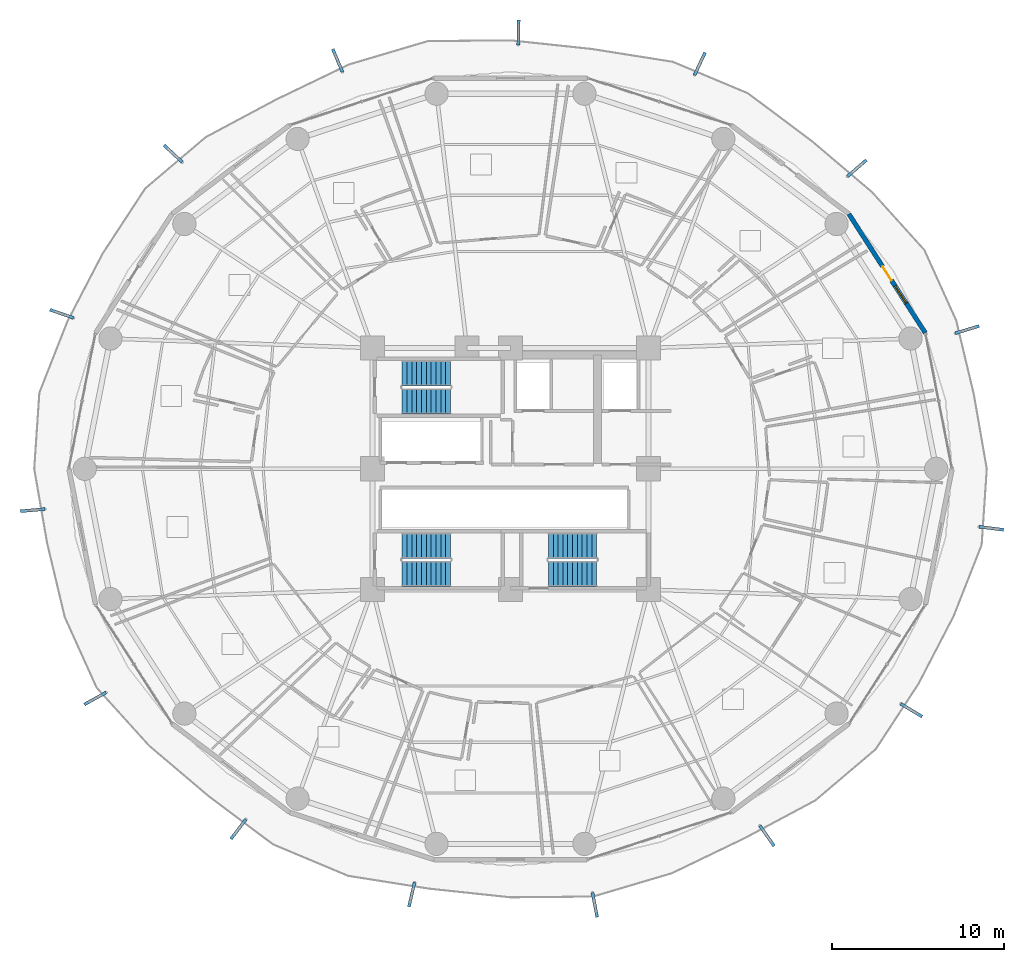
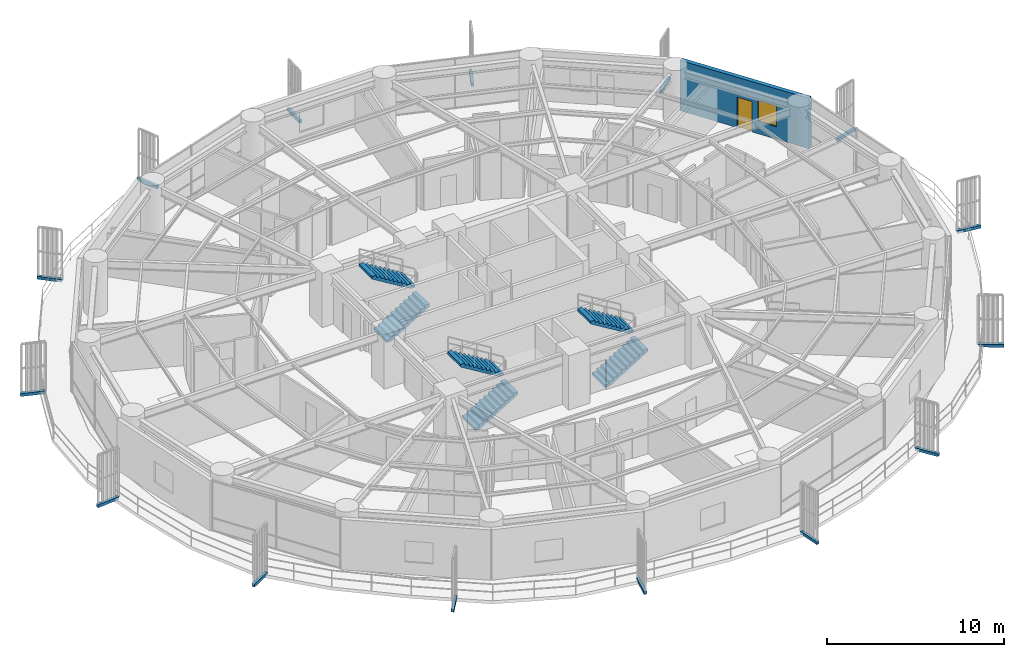
# One storey, part 29 of 33: 15 discrete accessories, 6 stair flights, 1 door, 1 wall, 1 window, 2 openings, 3 elements without a shape of their own.
"""IFC4 building model written with IfcOpenShell, lengths in metres."""

from ifc_helpers import new_model, si_unit, direction, frame, frame_2d, origin, origin_2d, place, context, subcontext, project, spatial, polyline, rectangle, outline, extrude, source, transform, mapped, material, layer, layer_set, type_object, element, fill, aggregate, save


model = new_model("IFC4")

# Units and contexts
model_context = context("Model", 3, precision=1e-05, world=origin(), true_north=direction((0.0, 1.0)))
body_context = subcontext(model_context, "Body", "Model", "MODEL_VIEW")
ifc_project = project(units=[si_unit("LENGTHUNIT", "METRE"), si_unit("AREAUNIT", "SQUARE_METRE"), si_unit("VOLUMEUNIT", "CUBIC_METRE"), si_unit("PLANEANGLEUNIT", "RADIAN"), si_unit("MASSUNIT", "GRAM", prefix="KILO")], contexts=[model_context])

# Site, building, storey
site_placement = place(None, origin())
site = spatial("IfcSite", under=ifc_project, at=site_placement, CompositionType="ELEMENT")
building_placement = place(site_placement, origin())
building = spatial("IfcBuilding", under=site, at=building_placement, Name="Kelanora Arch Commons", CompositionType="ELEMENT")
storey_placement = place(building_placement, frame((0.0, 0.0, 80.10009765625)))
storey = spatial("IfcBuildingStorey", under=building, at=storey_placement, Name="L20", CompositionType="ELEMENT", Elevation=80.10009765625)

# Wall, openings, door, window
ifc_material_1 = material(Name="Precast concrete C40/50 with terracotta rainscreen", Category="masonry")
ifc_layer = layer(ifc_material_1, 0.260009765625)
ifc_layer_set = layer_set([ifc_layer], Name="Precast concrete C40/50 with terracotta rainscreen")
wall_type = type_object("IfcWallType", Name="W-EXT-TC", PredefinedType="SOLIDWALL", material=ifc_layer_set)
wall_placement = place(storey_placement, frame((98.048095703125, 65.879150390625, 0.0), z_axis=(0.0, 0.0, 1.0), x_axis=(-0.540620528459, 0.841266571432, 0.0)))
wall = element("IfcWall", 1, at=wall_placement, inside=storey, type_object=wall_type, Name="Terracotta Exterior Wall L20-B01", PredefinedType="SOLIDWALL", context=body_context, shape_type="SweptSolid", body=[
    extrude(rectangle(XDim=8.19287109375, YDim=0.260009765625, at=frame_2d((4.096435546875, 0.0))), origin(), (0.0, 0.0, 1.0), 3.474853515625),
])
opening_1_placement = place(wall_placement, frame((3.62109375, 0.0, 0.0)))
opening_1 = element("IfcOpeningElement", 2, at=opening_1_placement, cuts=wall, Name="Opening DB-01", PredefinedType="OPENING", context=body_context, shape_type="SweptSolid", body=[
    extrude(rectangle(XDim=0.949951171875, YDim=2.10009765625, at=frame_2d((0.47509765625, 1.050048828125))), frame((0.0, 0.14013671875, 0.0), z_axis=(0.0, -1.0, 0.0), x_axis=(1.0, 0.0, 0.0)), (0.0, 0.0, 1.0), 0.280029296875),
])
opening_2_placement = place(wall_placement, frame((2.041015625, 0.0, 0.85009765625)))
opening_2 = element("IfcOpeningElement", 3, at=opening_2_placement, cuts=wall, Name="Opening WN-02", PredefinedType="OPENING", context=body_context, shape_type="SweptSolid", body=[
    extrude(rectangle(XDim=1.199951171875, YDim=1.449951171875, at=frame_2d((0.60009765625, 0.72509765625))), frame((0.0, 0.14013671875, 0.0), z_axis=(0.0, -1.0, 0.0), x_axis=(1.0, 0.0, 0.0)), (0.0, 0.0, 1.0), 0.280029296875),
])
ifc_material_2 = material(Name="Terracotta-aluminium thermally broken glazed balcony door", Category="masonry")
door_type = type_object("IfcDoorType", Name="D-BAL-10", OperationType="NOTDEFINED", PredefinedType="DOOR", material=ifc_material_2)
door_placement = place(opening_1_placement, frame((0.949951171875, 0.0, 0.0), z_axis=(0.0, 0.0, 1.0), x_axis=(-1.0, 0.0, 0.0)))
door = element("IfcDoor", 4, at=door_placement, inside=storey, type_object=door_type, Name="Wave Balcony Door L20-B01", OperationType="SINGLE_SWING_RIGHT", OverallHeight=2.10009765625, OverallWidth=0.949951171875, PredefinedType="DOOR", context=body_context, shape_type="SweptSolid", body=[
    extrude(rectangle(XDim=0.949951171875, YDim=2.10009765625, at=frame_2d((0.47509765625, 1.050048828125))), frame((0.0, 0.02490234375, 0.0), z_axis=(0.0, -1.0, 0.0), x_axis=(1.0, 0.0, 0.0)), (0.0, 0.0, 1.0), 0.050048828125),
])
fill(opening_1, door)
ifc_material_3 = material(Name="Terracotta-anodised aluminium frame with operable awning sash", Category="masonry")
window_type = type_object("IfcWindowType", Name="WIN-CL-12", PartitioningType="SINGLE_PANEL", PredefinedType="WINDOW", material=ifc_material_3)
window_placement = place(opening_2_placement, origin())
window = element("IfcWindow", 5, at=window_placement, inside=storey, type_object=window_type, Name="Co-Living Operable Window L20-B01", OverallHeight=1.449951171875, OverallWidth=1.199951171875, PartitioningType="SINGLE_PANEL", PredefinedType="WINDOW", context=body_context, shape_type="SweptSolid", body=[
    extrude(rectangle(XDim=1.199951171875, YDim=1.449951171875, at=frame_2d((0.60009765625, 0.72509765625))), frame((0.0, 0.030029296875, 0.0), z_axis=(0.0, -1.0, 0.0), x_axis=(1.0, 0.0, 0.0)), (0.0, 0.0, 1.0), 0.06005859375),
])
fill(opening_2, window)

# Stair, stair flights
ifc_material_4 = material(Name="Concrete C40/50", Category="concrete")
stair_type = type_object("IfcStairType", Name="STR-DL-375", PredefinedType="HALF_TURN_STAIR", material=ifc_material_4)
stair_1_placement = place(storey_placement, origin())
stair_1 = element("IfcStair", 6, at=stair_1_placement, inside=storey, type_object=stair_type, Name="L20 ST-T1", PredefinedType="HALF_TURN_STAIR")
stair_flight_type = type_object("IfcStairFlightType", Name="FLT-DL-375", PredefinedType="STRAIGHT", material=ifc_material_4)
stair_flight_1_placement = place(storey_placement, frame((67.719970703125, 61.919921875, 0.0), z_axis=(0.0, 0.0, 1.0), x_axis=(1.0, 0.0, 0.0)))
stair_flight_1 = element("IfcStairFlight", 7, at=stair_flight_1_placement, type_object=stair_flight_type, Name="ST-T1 flight 1", NumberOfRisers=11, NumberOfTreads=10, PredefinedType="STRAIGHT", RiserHeight=0.170454545, TreadLength=0.28, context=body_context, shape_type="SweptSolid", body=[
    extrude(outline(polyline([(0.0, 0.0), (0.0, 0.17041015625), (0.280029296875, 0.17041015625), (0.280029296875, 0.3408203125), (0.56005859375, 0.3408203125), (0.56005859375, 0.511474609375), (0.840087890625, 0.511474609375), (0.840087890625, 0.681884765625), (1.1201171875, 0.681884765625), (1.1201171875, 0.852294921875), (1.39990234375, 0.852294921875), (1.39990234375, 1.022705078125), (1.679931640625, 1.022705078125), (1.679931640625, 1.193115234375), (1.9599609375, 1.193115234375), (1.9599609375, 1.363525390625), (2.239990234375, 1.363525390625), (2.239990234375, 1.5341796875), (2.52001953125, 1.5341796875), (2.52001953125, 1.70458984375), (2.800048828125, 1.70458984375), (2.800048828125, 1.875), (2.800048828125, 1.529052734375), (0.288330078125, 0.0), (0.0, 0.0)])), frame((0.0, 0.739990234375, 0.0), z_axis=(0.0, -1.0, 0.0), x_axis=(1.0, 0.0, 0.0)), (0.0, 0.0, 1.0), 1.47998046875),
])
stair_flight_2_placement = place(storey_placement, frame((70.52001953125, 63.550048828125, 1.875), z_axis=(0.0, 0.0, 1.0), x_axis=(-1.0, 0.0, 0.0)))
stair_flight_2 = element("IfcStairFlight", 8, at=stair_flight_2_placement, type_object=stair_flight_type, Name="ST-T1 flight 2", NumberOfRisers=11, NumberOfTreads=10, PredefinedType="STRAIGHT", RiserHeight=0.170454545, TreadLength=0.28, context=body_context, shape_type="SweptSolid", body=[
    extrude(outline(polyline([(0.0, 0.0), (0.0, 0.17041015625), (0.280029296875, 0.17041015625), (0.280029296875, 0.3408203125), (0.56005859375, 0.3408203125), (0.56005859375, 0.511474609375), (0.840087890625, 0.511474609375), (0.840087890625, 0.681884765625), (1.1201171875, 0.681884765625), (1.1201171875, 0.852294921875), (1.39990234375, 0.852294921875), (1.39990234375, 1.022705078125), (1.679931640625, 1.022705078125), (1.679931640625, 1.193115234375), (1.9599609375, 1.193115234375), (1.9599609375, 1.363525390625), (2.239990234375, 1.363525390625), (2.239990234375, 1.5341796875), (2.52001953125, 1.5341796875), (2.52001953125, 1.70458984375), (2.800048828125, 1.70458984375), (2.800048828125, 1.875), (2.800048828125, 1.529052734375), (0.288330078125, 0.0), (0.0, 0.0)])), frame((0.0, 0.739990234375, 0.0), z_axis=(0.0, -1.0, 0.0), x_axis=(1.0, 0.0, 0.0)), (0.0, 0.0, 1.0), 1.47998046875),
])
aggregate(stair_1, [stair_flight_1, stair_flight_2])

stair_2_placement = place(storey_placement, origin())
stair_2 = element("IfcStair", 9, at=stair_2_placement, inside=storey, type_object=stair_type, Name="L20 ST-T2", PredefinedType="HALF_TURN_STAIR")
stair_flight_3_placement = place(storey_placement, frame((76.199951171875, 51.919921875, 0.0), z_axis=(0.0, 0.0, 1.0), x_axis=(1.0, 0.0, 0.0)))
stair_flight_3 = element("IfcStairFlight", 10, at=stair_flight_3_placement, type_object=stair_flight_type, Name="ST-T2 flight 1", NumberOfRisers=11, NumberOfTreads=10, PredefinedType="STRAIGHT", RiserHeight=0.170454545, TreadLength=0.28, context=body_context, shape_type="SweptSolid", body=[
    extrude(outline(polyline([(0.0, 0.0), (0.0, 0.17041015625), (0.280029296875, 0.17041015625), (0.280029296875, 0.3408203125), (0.56005859375, 0.3408203125), (0.56005859375, 0.511474609375), (0.840087890625, 0.511474609375), (0.840087890625, 0.681884765625), (1.1201171875, 0.681884765625), (1.1201171875, 0.852294921875), (1.39990234375, 0.852294921875), (1.39990234375, 1.022705078125), (1.679931640625, 1.022705078125), (1.679931640625, 1.193115234375), (1.9599609375, 1.193115234375), (1.9599609375, 1.363525390625), (2.239990234375, 1.363525390625), (2.239990234375, 1.5341796875), (2.52001953125, 1.5341796875), (2.52001953125, 1.70458984375), (2.800048828125, 1.70458984375), (2.800048828125, 1.875), (2.800048828125, 1.529052734375), (0.288330078125, 0.0), (0.0, 0.0)])), frame((0.0, 0.739990234375, 0.0), z_axis=(0.0, -1.0, 0.0), x_axis=(1.0, 0.0, 0.0)), (0.0, 0.0, 1.0), 1.47998046875),
])
stair_flight_4_placement = place(storey_placement, frame((79.0, 53.550048828125, 1.875), z_axis=(0.0, 0.0, 1.0), x_axis=(-1.0, 0.0, 0.0)))
stair_flight_4 = element("IfcStairFlight", 11, at=stair_flight_4_placement, type_object=stair_flight_type, Name="ST-T2 flight 2", NumberOfRisers=11, NumberOfTreads=10, PredefinedType="STRAIGHT", RiserHeight=0.170454545, TreadLength=0.28, context=body_context, shape_type="SweptSolid", body=[
    extrude(outline(polyline([(0.0, 0.0), (0.0, 0.17041015625), (0.280029296875, 0.17041015625), (0.280029296875, 0.3408203125), (0.56005859375, 0.3408203125), (0.56005859375, 0.511474609375), (0.840087890625, 0.511474609375), (0.840087890625, 0.681884765625), (1.1201171875, 0.681884765625), (1.1201171875, 0.852294921875), (1.39990234375, 0.852294921875), (1.39990234375, 1.022705078125), (1.679931640625, 1.022705078125), (1.679931640625, 1.193115234375), (1.9599609375, 1.193115234375), (1.9599609375, 1.363525390625), (2.239990234375, 1.363525390625), (2.239990234375, 1.5341796875), (2.52001953125, 1.5341796875), (2.52001953125, 1.70458984375), (2.800048828125, 1.70458984375), (2.800048828125, 1.875), (2.800048828125, 1.529052734375), (0.288330078125, 0.0), (0.0, 0.0)])), frame((0.0, 0.739990234375, 0.0), z_axis=(0.0, -1.0, 0.0), x_axis=(1.0, 0.0, 0.0)), (0.0, 0.0, 1.0), 1.47998046875),
])
aggregate(stair_2, [stair_flight_3, stair_flight_4])

stair_3_placement = place(storey_placement, origin())
stair_3 = element("IfcStair", 12, at=stair_3_placement, inside=storey, type_object=stair_type, Name="L20 ST-T3", PredefinedType="HALF_TURN_STAIR")
stair_flight_5_placement = place(storey_placement, frame((67.719970703125, 51.919921875, 0.0), z_axis=(0.0, 0.0, 1.0), x_axis=(1.0, 0.0, 0.0)))
stair_flight_5 = element("IfcStairFlight", 13, at=stair_flight_5_placement, type_object=stair_flight_type, Name="ST-T3 flight 1", NumberOfRisers=11, NumberOfTreads=10, PredefinedType="STRAIGHT", RiserHeight=0.170454545, TreadLength=0.28, context=body_context, shape_type="SweptSolid", body=[
    extrude(outline(polyline([(0.0, 0.0), (0.0, 0.17041015625), (0.280029296875, 0.17041015625), (0.280029296875, 0.3408203125), (0.56005859375, 0.3408203125), (0.56005859375, 0.511474609375), (0.840087890625, 0.511474609375), (0.840087890625, 0.681884765625), (1.1201171875, 0.681884765625), (1.1201171875, 0.852294921875), (1.39990234375, 0.852294921875), (1.39990234375, 1.022705078125), (1.679931640625, 1.022705078125), (1.679931640625, 1.193115234375), (1.9599609375, 1.193115234375), (1.9599609375, 1.363525390625), (2.239990234375, 1.363525390625), (2.239990234375, 1.5341796875), (2.52001953125, 1.5341796875), (2.52001953125, 1.70458984375), (2.800048828125, 1.70458984375), (2.800048828125, 1.875), (2.800048828125, 1.529052734375), (0.288330078125, 0.0), (0.0, 0.0)])), frame((0.0, 0.739990234375, 0.0), z_axis=(0.0, -1.0, 0.0), x_axis=(1.0, 0.0, 0.0)), (0.0, 0.0, 1.0), 1.47998046875),
])
stair_flight_6_placement = place(storey_placement, frame((70.52001953125, 53.550048828125, 1.875), z_axis=(0.0, 0.0, 1.0), x_axis=(-1.0, 0.0, 0.0)))
stair_flight_6 = element("IfcStairFlight", 14, at=stair_flight_6_placement, type_object=stair_flight_type, Name="ST-T3 flight 2", NumberOfRisers=11, NumberOfTreads=10, PredefinedType="STRAIGHT", RiserHeight=0.170454545, TreadLength=0.28, context=body_context, shape_type="SweptSolid", body=[
    extrude(outline(polyline([(0.0, 0.0), (0.0, 0.17041015625), (0.280029296875, 0.17041015625), (0.280029296875, 0.3408203125), (0.56005859375, 0.3408203125), (0.56005859375, 0.511474609375), (0.840087890625, 0.511474609375), (0.840087890625, 0.681884765625), (1.1201171875, 0.681884765625), (1.1201171875, 0.852294921875), (1.39990234375, 0.852294921875), (1.39990234375, 1.022705078125), (1.679931640625, 1.022705078125), (1.679931640625, 1.193115234375), (1.9599609375, 1.193115234375), (1.9599609375, 1.363525390625), (2.239990234375, 1.363525390625), (2.239990234375, 1.5341796875), (2.52001953125, 1.5341796875), (2.52001953125, 1.70458984375), (2.800048828125, 1.70458984375), (2.800048828125, 1.875), (2.800048828125, 1.529052734375), (0.288330078125, 0.0), (0.0, 0.0)])), frame((0.0, 0.739990234375, 0.0), z_axis=(0.0, -1.0, 0.0), x_axis=(1.0, 0.0, 0.0)), (0.0, 0.0, 1.0), 1.47998046875),
])
aggregate(stair_3, [stair_flight_5, stair_flight_6])

# Discrete accessories
ifc_material_5 = material(Name="Stainless steel 316 marine fin bracket", Category="steel")
discrete_accessory_type = type_object("IfcDiscreteAccessoryType", Name="ACC-FIN-BRK", PredefinedType="BRACKET", material=ifc_material_5)
shared_shape = source(origin(), body_context, "Body", "SweptSolid", [
    extrude(rectangle(XDim=1.436279296875, YDim=0.179931640625, at=origin_2d()), origin(), (0.0, 0.0, 1.0), 0.199951171875),
])
for number, where, z_axis, x_axis, name in (
    (15, (94.08447265625, 75.426513671875, -0.16015625), (0.0, 0.0, 1.0), (0.755281812285, 0.655400170912, 0.0), "Sweeping Fin Cantilever Spine Bracket L20-00"),
    (16, (84.974853515625, 81.478759765625, -0.16015625), (0.0, 0.0, 1.0), (0.423409003465, 0.90593863798, 0.0), "Sweeping Fin Cantilever Spine Bracket L20-01"),
    (17, (74.46484375, 83.291015625, -0.16015625), (0.0, 0.0, 1.0), (0.018324931396, 0.999832084347, 0.0), "Sweeping Fin Cantilever Spine Bracket L20-02"),
    (18, (63.976806640625, 81.674072265625, -0.16015625), (0.0, 0.0, 1.0), (-0.389927687788, 0.920845480141, 0.0), "Sweeping Fin Cantilever Spine Bracket L20-03"),
    (19, (54.443115234375, 76.27099609375, -0.16015625), (0.0, 0.0, 1.0), (-0.730758267372, 0.6826363268, 0.0), "Sweeping Fin Cantilever Spine Bracket L20-04"),
    (20, (47.987060546875, 66.98388671875, -0.16015625), (0.0, 0.0, 1.0), (-0.945234103797, 0.326393150999, 0.0), "Sweeping Fin Cantilever Spine Bracket L20-05"),
    (21, (46.3017578125, 55.6025390625, -0.16015625), (0.0, 0.0, 1.0), (-0.996270376493, -0.086286365798, 0.0), "Sweeping Fin Cantilever Spine Bracket L20-06"),
    (22, (49.925537109375, 44.684326171875, -0.16015625), (0.0, 0.0, 1.0), (-0.875042450261, -0.484046186062, 0.0), "Sweeping Fin Cantilever Spine Bracket L20-07"),
    (23, (58.228759765625, 37.111083984375, -0.16015625), (0.0, 0.0, 1.0), (-0.602511734868, -0.798110023334, 0.0), "Sweeping Fin Cantilever Spine Bracket L20-08"),
    (24, (68.27734375, 33.31689453125, -0.16015625), (0.0, 0.0, 1.0), (-0.225801266869, -0.97417338697, 0.0), "Sweeping Fin Cantilever Spine Bracket L20-09"),
    (25, (78.89013671875, 32.71728515625, -0.16015625), (0.0, 0.0, 1.0), (0.189952291512, -0.981793321911, 0.0), "Sweeping Fin Cantilever Spine Bracket L20-10"),
    (26, (88.87060546875, 36.720703125, -0.16015625), (0.0, 0.0, 1.0), (0.572861373028, -0.819652272182, 0.0), "Sweeping Fin Cantilever Spine Bracket L20-11"),
    (27, (97.243408203125, 44.004638671875, -0.16015625), (0.0, 0.0, 1.0), (0.856717518865, -0.515785898285, 0.0), "Sweeping Fin Cantilever Spine Bracket L20-12"),
    (28, (101.87744140625, 54.55078125, -0.16015625), (0.0, 0.0, 1.0), (0.992439422656, -0.122735456807, 0.0), "Sweeping Fin Cantilever Spine Bracket L20-13"),
    (29, (100.47705078125, 66.068115234375, -0.16015625), (0.0, 0.0, 1.0), (0.956559534241, 0.29153706017, 0.0), "Sweeping Fin Cantilever Spine Bracket L20-14"),
):
    element("IfcDiscreteAccessory", number, at=place(storey_placement, frame(where, z_axis=z_axis, x_axis=x_axis)), inside=storey, type_object=discrete_accessory_type, Name=name, PredefinedType="BRACKET", context=body_context, shape_type="MappedRepresentation", body=[
        mapped(shared_shape, transform((0.0, 0.0, 0.0), scale=1.0)),
    ])

save(model, "model.ifc")
